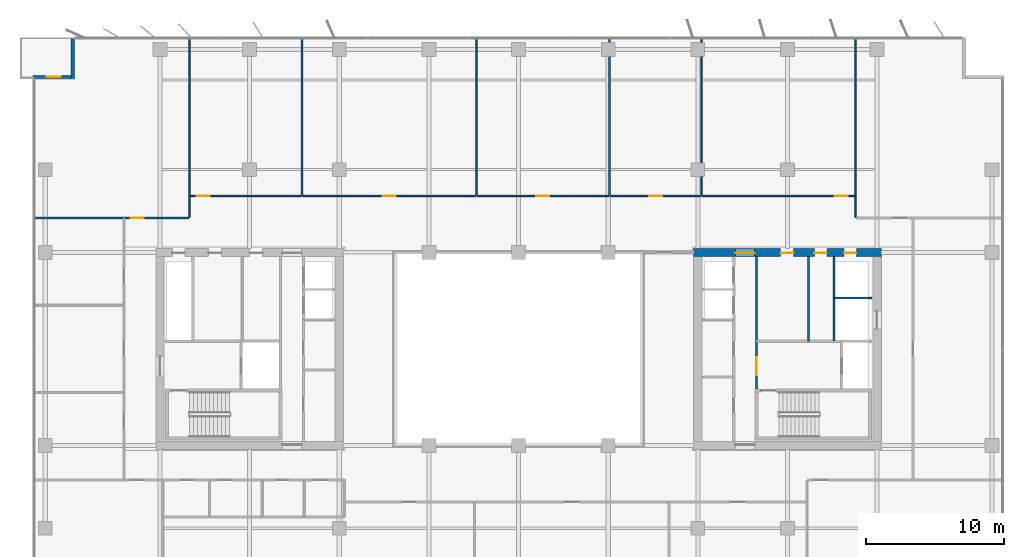
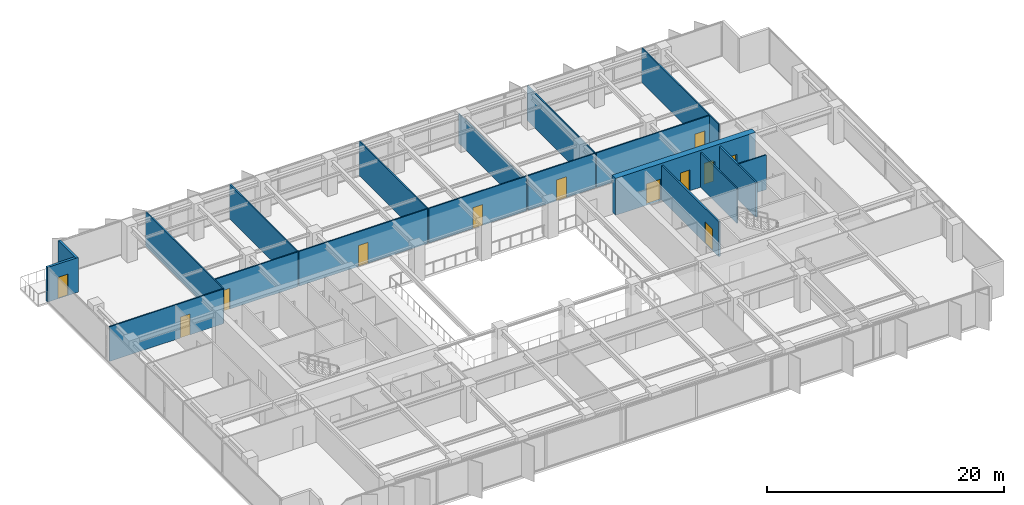
# One storey, part 17 of 22: 19 walls, 12 doors, 12 openings.
"""IFC4 building model written with IfcOpenShell, lengths in metres."""

from ifc_helpers import new_model, si_unit, direction, frame, frame_2d, origin, place, context, subcontext, project, spatial, rectangle, extrude, material, layer, layer_set, type_object, element, fill, save


model = new_model("IFC4")

# Units and contexts
model_context = context("Model", 3, precision=1e-05, world=origin(), true_north=direction((0.0, 1.0)))
body_context = subcontext(model_context, "Body", "Model", "MODEL_VIEW")
ifc_project = project(units=[si_unit("LENGTHUNIT", "METRE"), si_unit("AREAUNIT", "SQUARE_METRE"), si_unit("VOLUMEUNIT", "CUBIC_METRE"), si_unit("PLANEANGLEUNIT", "RADIAN"), si_unit("MASSUNIT", "GRAM", prefix="KILO")], contexts=[model_context])

# Site, building, storey
site_placement = place(None, origin())
site = spatial("IfcSite", under=ifc_project, at=site_placement, CompositionType="ELEMENT")
building_placement = place(site_placement, origin())
building = spatial("IfcBuilding", under=site, at=building_placement, Name="Putna Gate Headquarters", CompositionType="ELEMENT")
storey_placement = place(building_placement, frame((0.0, 0.0, 155.60009765625)))
storey = spatial("IfcBuildingStorey", under=building, at=storey_placement, Name="L38", CompositionType="ELEMENT", Elevation=155.60009765625)

# Wall, openings, doors
ifc_material_1 = material(Name="Concrete C50/60", Category="concrete")
ifc_layer_1 = layer(ifc_material_1, 0.60009765625)
ifc_layer_set_1 = layer_set([ifc_layer_1], Name="Concrete C50/60")
wall_type_1 = type_object("IfcWallType", Name="WALL-CORE-600", PredefinedType="SHEAR", material=ifc_layer_set_1)
wall_1_placement = place(storey_placement, frame((51.699951171875, 33.0, 0.0), z_axis=(0.0, 0.0, 1.0), x_axis=(1.0, 0.0, 0.0)))
wall_1 = element("IfcWall", 1, at=wall_1_placement, inside=storey, type_object=wall_type_1, Name="L38 EC Split Core Shear Wall N", PredefinedType="SHEAR", context=body_context, shape_type="SweptSolid", body=[
    extrude(rectangle(XDim=13.60009765625, YDim=0.60009765625, at=frame_2d((6.800048828125, 0.0))), origin(), (0.0, 0.0, 1.0), 3.7998046875),
])
opening_1_placement = place(wall_1_placement, frame((3.02001953125, 0.0, 0.0)))
opening_1 = element("IfcOpeningElement", 2, at=opening_1_placement, cuts=wall_1, Name="Opening FDD-140", PredefinedType="OPENING", context=body_context, shape_type="SweptSolid", body=[
    extrude(rectangle(XDim=1.39990234375, YDim=2.199951171875, at=frame_2d((0.699951171875, 1.10009765625))), frame((0.0, 0.31005859375, 0.0), z_axis=(0.0, -1.0, 0.0), x_axis=(1.0, 0.0, 0.0)), (0.0, 0.0, 1.0), 0.6201171875),
])
opening_2_placement = place(wall_1_placement, frame((10.89990234375, 0.0, 0.0)))
opening_2 = element("IfcOpeningElement", 3, at=opening_2_placement, cuts=wall_1, Name="Opening RD-90", PredefinedType="OPENING", context=body_context, shape_type="SweptSolid", body=[
    extrude(rectangle(XDim=0.89990234375, YDim=2.14990234375, at=frame_2d((0.449951171875, 1.074951171875))), frame((0.0, 0.31005859375, 0.0), z_axis=(0.0, -1.0, 0.0), x_axis=(1.0, 0.0, 0.0)), (0.0, 0.0, 1.0), 0.6201171875),
])
opening_3_placement = place(wall_1_placement, frame((6.300048828125, 0.0, 0.0)))
opening_3 = element("IfcOpeningElement", 4, at=opening_3_placement, cuts=wall_1, Name="Opening IDS-95", PredefinedType="OPENING", context=body_context, shape_type="SweptSolid", body=[
    extrude(rectangle(XDim=0.949951171875, YDim=2.14990234375, at=frame_2d((0.47509765625, 1.074951171875))), frame((0.0, 0.31005859375, 0.0), z_axis=(0.0, -1.0, 0.0), x_axis=(1.0, 0.0, 0.0)), (0.0, 0.0, 1.0), 0.6201171875),
])
opening_4_placement = place(wall_1_placement, frame((8.75, 0.0, 0.0)))
opening_4 = element("IfcOpeningElement", 5, at=opening_4_placement, cuts=wall_1, Name="Opening IDS-90", PredefinedType="OPENING", context=body_context, shape_type="SweptSolid", body=[
    extrude(rectangle(XDim=0.89990234375, YDim=2.14990234375, at=frame_2d((0.449951171875, 1.074951171875))), frame((0.0, 0.31005859375, 0.0), z_axis=(0.0, -1.0, 0.0), x_axis=(1.0, 0.0, 0.0)), (0.0, 0.0, 1.0), 0.6201171875),
])
ifc_material_2 = material(Name="Double steel fire door", Category="steel")
door_type_1 = type_object("IfcDoorType", Name="DOOR-FIRE-DBL-1400", OperationType="DOUBLE_DOOR_SINGLE_SWING", PredefinedType="DOOR", material=ifc_material_2)
door_1_placement = place(opening_1_placement, origin())
door_1 = element("IfcDoor", 6, at=door_1_placement, inside=storey, type_object=door_type_1, Name="L38 East Lift Lobby North Door", OperationType="DOUBLE_DOOR_SINGLE_SWING", OverallHeight=2.199951171875, OverallWidth=1.39990234375, PredefinedType="DOOR", context=body_context, shape_type="SweptSolid", body=[
    extrude(rectangle(XDim=1.39990234375, YDim=2.199951171875, at=frame_2d((0.699951171875, 1.10009765625))), frame((0.0, -0.02490234375, 0.0), z_axis=(0.0, -1.0, 0.0), x_axis=(1.0, 0.0, 0.0)), (0.0, 0.0, 1.0), 0.050048828125),
])
fill(opening_1, door_1)
ifc_material_3 = material(Name="Fire-rated utility door")
door_type_2 = type_object("IfcDoorType", Name="DOOR-INT-900", OperationType="NOTDEFINED", PredefinedType="DOOR", material=ifc_material_3)
door_2_placement = place(opening_4_placement, origin())
door_2 = element("IfcDoor", 7, at=door_2_placement, inside=storey, type_object=door_type_2, Name="L38 Electrical Plant Door", OperationType="SINGLE_SWING_LEFT", OverallHeight=2.14990234375, OverallWidth=0.89990234375, PredefinedType="DOOR", context=body_context, shape_type="SweptSolid", body=[
    extrude(rectangle(XDim=0.89990234375, YDim=2.14990234375, at=frame_2d((0.449951171875, 1.074951171875))), frame((0.0, -0.02490234375, 0.0), z_axis=(0.0, -1.0, 0.0), x_axis=(1.0, 0.0, 0.0)), (0.0, 0.0, 1.0), 0.050048828125),
])
fill(opening_4, door_2)
ifc_material_4 = material(Name="Fire-rated service timber door", Category="wood")
door_type_3 = type_object("IfcDoorType", Name="DOOR-INT-950", OperationType="NOTDEFINED", PredefinedType="DOOR", material=ifc_material_4)
door_3_placement = place(opening_3_placement, origin())
door_3 = element("IfcDoor", 8, at=door_3_placement, inside=storey, type_object=door_type_3, Name="L38 East Store Door", OperationType="SINGLE_SWING_RIGHT", OverallHeight=2.14990234375, OverallWidth=0.949951171875, PredefinedType="DOOR", context=body_context, shape_type="SweptSolid", body=[
    extrude(rectangle(XDim=0.949951171875, YDim=2.14990234375, at=frame_2d((0.47509765625, 1.074951171875))), frame((0.0, -0.02490234375, 0.0), z_axis=(0.0, -1.0, 0.0), x_axis=(1.0, 0.0, 0.0)), (0.0, 0.0, 1.0), 0.050048828125),
])
fill(opening_3, door_3)
ifc_material_5 = material(Name="Steel riser access fire door", Category="steel")
door_type_4 = type_object("IfcDoorType", Name="DOOR-RISER-900", OperationType="NOTDEFINED", PredefinedType="DOOR", material=ifc_material_5)
door_4_placement = place(opening_2_placement, origin())
door_4 = element("IfcDoor", 9, at=door_4_placement, inside=storey, type_object=door_type_4, Name="L38 East Riser Access Door", OperationType="SINGLE_SWING_LEFT", OverallHeight=2.14990234375, OverallWidth=0.89990234375, PredefinedType="DOOR", context=body_context, shape_type="SweptSolid", body=[
    extrude(rectangle(XDim=0.89990234375, YDim=2.14990234375, at=frame_2d((0.449951171875, 1.074951171875))), frame((0.0, -0.02490234375, 0.0), z_axis=(0.0, -1.0, 0.0), x_axis=(1.0, 0.0, 0.0)), (0.0, 0.0, 1.0), 0.050048828125),
])
fill(opening_2, door_4)

# Wall
ifc_material_6 = material(Name="Precast concrete C40/50", Category="concrete")
ifc_layer_2 = layer(ifc_material_6, 0.239990234375)
ifc_layer_set_2 = layer_set([ifc_layer_2], Name="Precast concrete C40/50")
wall_type_2 = type_object("IfcWallType", Name="WALL-EXT-TERR-240", PredefinedType="STANDARD", material=ifc_layer_set_2)
wall_2_placement = place(storey_placement, frame((6.679931640625, 45.60009765625, 0.0), z_axis=(0.0, 0.0, 1.0), x_axis=(0.0, 1.0, 0.0)))
element("IfcWall", 10, at=wall_2_placement, inside=storey, type_object=wall_type_2, Name="L38 Corner Notch Return Wall NW-V", PredefinedType="STANDARD", context=body_context, shape_type="SweptSolid", body=[
    extrude(rectangle(XDim=3.0, YDim=0.239990234375, at=frame_2d((1.5, 0.0))), origin(), (0.0, 0.0, 1.0), 3.572021484375),
])

# Wall, opening, door
wall_3_placement = place(storey_placement, frame((3.800048828125, 45.719970703125, 0.0), z_axis=(0.0, 0.0, 1.0), x_axis=(1.0, 0.0, 0.0)))
wall_3 = element("IfcWall", 11, at=wall_3_placement, inside=storey, type_object=wall_type_2, Name="L38 Corner Notch Return Wall NW-H", PredefinedType="STANDARD", context=body_context, shape_type="SweptSolid", body=[
    extrude(rectangle(XDim=3.0, YDim=0.239990234375, at=frame_2d((1.5, 0.0))), origin(), (0.0, 0.0, 1.0), 3.572021484375),
])
opening_5_placement = place(wall_3_placement, frame((1.0, 0.0, 0.0)))
opening_5 = element("IfcOpeningElement", 12, at=opening_5_placement, cuts=wall_3, Name="Opening TRD-1", PredefinedType="OPENING", context=body_context, shape_type="SweptSolid", body=[
    extrude(rectangle(XDim=1.0, YDim=2.199951171875, at=frame_2d((0.5, 1.10009765625))), frame((0.0, 0.1298828125, 0.0), z_axis=(0.0, -1.0, 0.0), x_axis=(1.0, 0.0, 0.0)), (0.0, 0.0, 1.0), 0.260009765625),
])
ifc_material_7 = material(Name="Thermally broken bronze glazed terrace door")
door_type_5 = type_object("IfcDoorType", Name="DOOR-TERR-EXT-1000", OperationType="NOTDEFINED", PredefinedType="DOOR", material=ifc_material_7)
door_5_placement = place(opening_5_placement, origin())
door_5 = element("IfcDoor", 13, at=door_5_placement, inside=storey, type_object=door_type_5, Name="L38 Spiral Sky Terrace Door NW", OperationType="SINGLE_SWING_RIGHT", OverallHeight=2.199951171875, OverallWidth=1.0, PredefinedType="DOOR", context=body_context, shape_type="SweptSolid", body=[
    extrude(rectangle(XDim=1.0, YDim=2.199951171875, at=frame_2d((0.5, 1.10009765625))), frame((0.0, 0.02490234375, 0.0), z_axis=(0.0, -1.0, 0.0), x_axis=(1.0, 0.0, 0.0)), (0.0, 0.0, 1.0), 0.050048828125),
])
fill(opening_5, door_5)

# Walls
ifc_material_8 = material(Name="Acoustic gypsum board on metal stud")
ifc_layer_3 = layer(ifc_material_8, 0.1201171875)
ifc_layer_set_3 = layer_set([ifc_layer_3], Name="Acoustic gypsum board on metal stud")
wall_type_3 = type_object("IfcWallType", Name="WALL-PART-120", PredefinedType="PARTITIONING", material=ifc_layer_set_3)
wall_4_placement = place(storey_placement, frame((15.13037109375, 35.56005859375, 0.0), z_axis=(0.0, 0.0, 1.0), x_axis=(0.0, 1.0, 0.0)))
element("IfcWall", 14, at=wall_4_placement, inside=storey, type_object=wall_type_3, Name="L38 Interior Wall PART-L38-NB-DIV-01", PredefinedType="PARTITIONING", context=body_context, shape_type="SweptSolid", body=[
    extrude(rectangle(XDim=13.02001953125, YDim=0.1201171875, at=frame_2d((6.510009765625, 0.0))), origin(), (0.0, 0.0, 1.0), 3.572021484375),
])
for number, where, z_axis, x_axis, name in (
    (15, (23.297119140625, 37.159912109375, 0.0), (0.0, 0.0, 1.0), (0.0, 1.0, 0.0), "L38 Interior Wall PART-L38-NB-DIV-02"),
    (16, (35.939208984375, 37.159912109375, 0.0), (0.0, 0.0, 1.0), (0.0, 1.0, 0.0), "L38 Interior Wall PART-L38-NB-DIV-03"),
):
    element("IfcWall", number, at=place(storey_placement, frame(where, z_axis=z_axis, x_axis=x_axis)), inside=storey, type_object=wall_type_3, Name=name, PredefinedType="PARTITIONING", context=body_context, shape_type="SweptSolid", body=[
        extrude(rectangle(XDim=11.420166015625, YDim=0.1201171875, at=frame_2d((5.7099609375, 0.0))), origin(), (0.0, 0.0, 1.0), 3.572021484375),
    ])
wall_5_placement = place(storey_placement, frame((45.597900390625, 37.159912109375, 0.0), z_axis=(0.0, 0.0, 1.0), x_axis=(0.0, 1.0, 0.0)))
element("IfcWall", 17, at=wall_5_placement, inside=storey, type_object=wall_type_3, Name="L38 Interior Wall PART-L38-NB-DIV-04", PredefinedType="PARTITIONING", context=body_context, shape_type="SweptSolid", body=[
    extrude(rectangle(XDim=11.420166015625, YDim=0.1201171875, at=frame_2d((5.7099609375, 0.0))), origin(), (0.0, 0.0, 1.0), 3.02197265625),
])
wall_6_placement = place(storey_placement, frame((52.272705078125, 37.159912109375, 0.0), z_axis=(0.0, 0.0, 1.0), x_axis=(0.0, 1.0, 0.0)))
element("IfcWall", 18, at=wall_6_placement, inside=storey, type_object=wall_type_3, Name="L38 Interior Wall PART-L38-NB-DIV-05", PredefinedType="PARTITIONING", context=body_context, shape_type="SweptSolid", body=[
    extrude(rectangle(XDim=11.420166015625, YDim=0.1201171875, at=frame_2d((5.7099609375, 0.0))), origin(), (0.0, 0.0, 1.0), 3.572021484375),
])
wall_7_placement = place(storey_placement, frame((63.4228515625, 35.56005859375, 0.0), z_axis=(0.0, 0.0, 1.0), x_axis=(0.0, 1.0, 0.0)))
element("IfcWall", 19, at=wall_7_placement, inside=storey, type_object=wall_type_3, Name="L38 Interior Wall PART-L38-NB-DIV-06", PredefinedType="PARTITIONING", context=body_context, shape_type="SweptSolid", body=[
    extrude(rectangle(XDim=13.02001953125, YDim=0.1201171875, at=frame_2d((6.510009765625, 0.0))), origin(), (0.0, 0.0, 1.0), 3.572021484375),
])
ifc_material_9 = material(Name="Fire-rated shaftwall gypsum board on metal stud")
ifc_layer_4 = layer(ifc_material_9, 0.1201171875)
ifc_layer_set_4 = layer_set([ifc_layer_4], Name="Fire-rated shaftwall gypsum board on metal stud")
wall_type_4 = type_object("IfcWallType", Name="WALL-PART-120-EI120", PredefinedType="PARTITIONING", material=ifc_layer_set_4)
wall_8_placement = place(storey_placement, frame((61.8701171875, 29.699951171875, 0.0), z_axis=(0.0, 0.0, 1.0), x_axis=(1.0, 0.0, 0.0)))
element("IfcWall", 20, at=wall_8_placement, inside=storey, type_object=wall_type_4, Name="L38 Interior Wall CWINT-L38-EC-LF15-N", PredefinedType="PARTITIONING", context=body_context, shape_type="SweptSolid", body=[
    extrude(rectangle(XDim=2.72998046875, YDim=0.1201171875, at=frame_2d((1.364990234375, 0.0))), origin(), (0.0, 0.0, 1.0), 3.572021484375),
])
ifc_material_10 = material(Name="Fire-rated gypsum board on metal stud")
ifc_layer_5 = layer(ifc_material_10, 0.1201171875)
ifc_layer_set_5 = layer_set([ifc_layer_5], Name="Fire-rated gypsum board on metal stud")
wall_type_5 = type_object("IfcWallType", Name="WALL-PART-120-RATED", PredefinedType="PARTITIONING", material=ifc_layer_set_5)
wall_9_placement = place(storey_placement, frame((60.02001953125, 26.56005859375, 0.0), z_axis=(0.0, 0.0, 1.0), x_axis=(0.0, 1.0, 0.0)))
element("IfcWall", 21, at=wall_9_placement, inside=storey, type_object=wall_type_5, Name="L38 Interior Wall CWINT-L38-EC-K0-DIV", PredefinedType="PARTITIONING", context=body_context, shape_type="SweptSolid", body=[
    extrude(rectangle(XDim=6.139892578125, YDim=0.1201171875, at=frame_2d((3.06982421875, 0.0))), origin(), (0.0, 0.0, 1.0), 3.572021484375),
])

# Wall, opening, door
wall_10_placement = place(storey_placement, frame((3.97998046875, 35.5, 0.0), z_axis=(0.0, 0.0, 1.0), x_axis=(1.0, 0.0, 0.0)))
wall_10 = element("IfcWall", 22, at=wall_10_placement, inside=storey, type_object=wall_type_5, Name="L38 Interior Wall PART-L38-NB-CW-01", PredefinedType="PARTITIONING", context=body_context, shape_type="SweptSolid", body=[
    extrude(rectangle(XDim=11.09033203125, YDim=0.1201171875, at=frame_2d((5.545166015625, 0.0))), origin(), (0.0, 0.0, 1.0), 3.572021484375),
])
opening_6_placement = place(wall_10_placement, frame((6.89990234375, 0.0, 0.0)))
opening_6 = element("IfcOpeningElement", 23, at=opening_6_placement, cuts=wall_10, Name="Opening FD-95", PredefinedType="OPENING", context=body_context, shape_type="SweptSolid", body=[
    extrude(rectangle(XDim=0.949951171875, YDim=2.14990234375, at=frame_2d((0.47509765625, 1.074951171875))), frame((0.0, 0.070068359375, 0.0), z_axis=(0.0, -1.0, 0.0), x_axis=(1.0, 0.0, 0.0)), (0.0, 0.0, 1.0), 0.14013671875),
])
ifc_material_11 = material(Name="Acoustic timber fire door", Category="wood")
door_type_6 = type_object("IfcDoorType", Name="DOOR-FIRE-950", OperationType="NOTDEFINED", PredefinedType="DOOR", material=ifc_material_11)
door_6_placement = place(opening_6_placement, origin())
door_6 = element("IfcDoor", 24, at=door_6_placement, inside=storey, type_object=door_type_6, Name="L38 Cellular Office 1 Door", OperationType="SINGLE_SWING_RIGHT", OverallHeight=2.14990234375, OverallWidth=0.949951171875, PredefinedType="DOOR", context=body_context, shape_type="SweptSolid", body=[
    extrude(rectangle(XDim=0.949951171875, YDim=2.14990234375, at=frame_2d((0.47509765625, 1.074951171875))), frame((0.0, 0.02490234375, 0.0), z_axis=(0.0, -1.0, 0.0), x_axis=(1.0, 0.0, 0.0)), (0.0, 0.0, 1.0), 0.050048828125),
])
fill(opening_6, door_6)

wall_11_placement = place(storey_placement, frame((15.1904296875, 37.10009765625, 0.0), z_axis=(0.0, 0.0, 1.0), x_axis=(1.0, 0.0, 0.0)))
wall_11 = element("IfcWall", 25, at=wall_11_placement, inside=storey, type_object=wall_type_5, Name="L38 Interior Wall PART-L38-NB-CW-02", PredefinedType="PARTITIONING", context=body_context, shape_type="SweptSolid", body=[
    extrude(rectangle(XDim=8.046630859375, YDim=0.1201171875, at=frame_2d((4.0234375, 0.0))), origin(), (0.0, 0.0, 1.0), 3.572021484375),
])
opening_7_placement = place(wall_11_placement, frame((0.47998046875, 0.0, 0.0)))
opening_7 = element("IfcOpeningElement", 26, at=opening_7_placement, cuts=wall_11, Name="Opening FD-95", PredefinedType="OPENING", context=body_context, shape_type="SweptSolid", body=[
    extrude(rectangle(XDim=0.949951171875, YDim=2.14990234375, at=frame_2d((0.47509765625, 1.074951171875))), frame((0.0, 0.070068359375, 0.0), z_axis=(0.0, -1.0, 0.0), x_axis=(1.0, 0.0, 0.0)), (0.0, 0.0, 1.0), 0.14013671875),
])
door_7_placement = place(opening_7_placement, origin())
door_7 = element("IfcDoor", 27, at=door_7_placement, inside=storey, type_object=door_type_6, Name="L38 Conference Meeting Room 2 Door", OperationType="SINGLE_SWING_LEFT", OverallHeight=2.14990234375, OverallWidth=0.949951171875, PredefinedType="DOOR", context=body_context, shape_type="SweptSolid", body=[
    extrude(rectangle(XDim=0.949951171875, YDim=2.14990234375, at=frame_2d((0.47509765625, 1.074951171875))), frame((0.0, 0.02490234375, 0.0), z_axis=(0.0, -1.0, 0.0), x_axis=(1.0, 0.0, 0.0)), (0.0, 0.0, 1.0), 0.050048828125),
])
fill(opening_7, door_7)

wall_12_placement = place(storey_placement, frame((23.35693359375, 37.10009765625, 0.0), z_axis=(0.0, 0.0, 1.0), x_axis=(1.0, 0.0, 0.0)))
wall_12 = element("IfcWall", 28, at=wall_12_placement, inside=storey, type_object=wall_type_5, Name="L38 Interior Wall PART-L38-NB-CW-03", PredefinedType="PARTITIONING", context=body_context, shape_type="SweptSolid", body=[
    extrude(rectangle(XDim=12.5224609375, YDim=0.1201171875, at=frame_2d((6.26123046875, 0.0))), origin(), (0.0, 0.0, 1.0), 3.572021484375),
])
opening_8_placement = place(wall_12_placement, frame((5.7861328125, 0.0, 0.0)))
opening_8 = element("IfcOpeningElement", 29, at=opening_8_placement, cuts=wall_12, Name="Opening FD-95", PredefinedType="OPENING", context=body_context, shape_type="SweptSolid", body=[
    extrude(rectangle(XDim=0.949951171875, YDim=2.14990234375, at=frame_2d((0.47509765625, 1.074951171875))), frame((0.0, 0.070068359375, 0.0), z_axis=(0.0, -1.0, 0.0), x_axis=(1.0, 0.0, 0.0)), (0.0, 0.0, 1.0), 0.14013671875),
])
door_8_placement = place(opening_8_placement, origin())
door_8 = element("IfcDoor", 30, at=door_8_placement, inside=storey, type_object=door_type_6, Name="L38 Conference Meeting Room 3 Door", OperationType="SINGLE_SWING_RIGHT", OverallHeight=2.14990234375, OverallWidth=0.949951171875, PredefinedType="DOOR", context=body_context, shape_type="SweptSolid", body=[
    extrude(rectangle(XDim=0.949951171875, YDim=2.14990234375, at=frame_2d((0.47509765625, 1.074951171875))), frame((0.0, 0.02490234375, 0.0), z_axis=(0.0, -1.0, 0.0), x_axis=(1.0, 0.0, 0.0)), (0.0, 0.0, 1.0), 0.050048828125),
])
fill(opening_8, door_8)

wall_13_placement = place(storey_placement, frame((35.999267578125, 37.10009765625, 0.0), z_axis=(0.0, 0.0, 1.0), x_axis=(1.0, 0.0, 0.0)))
wall_13 = element("IfcWall", 31, at=wall_13_placement, inside=storey, type_object=wall_type_5, Name="L38 Interior Wall PART-L38-NB-CW-04", PredefinedType="PARTITIONING", context=body_context, shape_type="SweptSolid", body=[
    extrude(rectangle(XDim=9.53857421875, YDim=0.1201171875, at=frame_2d((4.769287109375, 0.0))), origin(), (0.0, 0.0, 1.0), 3.572021484375),
])
opening_9_placement = place(wall_13_placement, frame((4.294189453125, 0.0, 0.0)))
opening_9 = element("IfcOpeningElement", 32, at=opening_9_placement, cuts=wall_13, Name="Opening FD-95", PredefinedType="OPENING", context=body_context, shape_type="SweptSolid", body=[
    extrude(rectangle(XDim=0.949951171875, YDim=2.14990234375, at=frame_2d((0.47509765625, 1.074951171875))), frame((0.0, 0.070068359375, 0.0), z_axis=(0.0, -1.0, 0.0), x_axis=(1.0, 0.0, 0.0)), (0.0, 0.0, 1.0), 0.14013671875),
])
door_9_placement = place(opening_9_placement, origin())
door_9 = element("IfcDoor", 33, at=door_9_placement, inside=storey, type_object=door_type_6, Name="L38 Collaborative Breakout Lounge 1 Door", OperationType="SINGLE_SWING_LEFT", OverallHeight=2.14990234375, OverallWidth=0.949951171875, PredefinedType="DOOR", context=body_context, shape_type="SweptSolid", body=[
    extrude(rectangle(XDim=0.949951171875, YDim=2.14990234375, at=frame_2d((0.47509765625, 1.074951171875))), frame((0.0, 0.02490234375, 0.0), z_axis=(0.0, -1.0, 0.0), x_axis=(1.0, 0.0, 0.0)), (0.0, 0.0, 1.0), 0.050048828125),
])
fill(opening_9, door_9)

wall_14_placement = place(storey_placement, frame((45.65771484375, 37.10009765625, 0.0), z_axis=(0.0, 0.0, 1.0), x_axis=(1.0, 0.0, 0.0)))
wall_14 = element("IfcWall", 34, at=wall_14_placement, inside=storey, type_object=wall_type_5, Name="L38 Interior Wall PART-L38-NB-CW-05", PredefinedType="PARTITIONING", context=body_context, shape_type="SweptSolid", body=[
    extrude(rectangle(XDim=6.554931640625, YDim=0.1201171875, at=frame_2d((3.27734375, 0.0))), origin(), (0.0, 0.0, 1.0), 3.572021484375),
])
opening_10_placement = place(wall_14_placement, frame((2.802490234375, 0.0, 0.0)))
opening_10 = element("IfcOpeningElement", 35, at=opening_10_placement, cuts=wall_14, Name="Opening FD-95", PredefinedType="OPENING", context=body_context, shape_type="SweptSolid", body=[
    extrude(rectangle(XDim=0.949951171875, YDim=2.14990234375, at=frame_2d((0.47509765625, 1.074951171875))), frame((0.0, 0.070068359375, 0.0), z_axis=(0.0, -1.0, 0.0), x_axis=(1.0, 0.0, 0.0)), (0.0, 0.0, 1.0), 0.14013671875),
])
door_10_placement = place(opening_10_placement, origin())
door_10 = element("IfcDoor", 36, at=door_10_placement, inside=storey, type_object=door_type_6, Name="L38 Collaborative Breakout Lounge 2 Door", OperationType="SINGLE_SWING_RIGHT", OverallHeight=2.14990234375, OverallWidth=0.949951171875, PredefinedType="DOOR", context=body_context, shape_type="SweptSolid", body=[
    extrude(rectangle(XDim=0.949951171875, YDim=2.14990234375, at=frame_2d((0.47509765625, 1.074951171875))), frame((0.0, 0.02490234375, 0.0), z_axis=(0.0, -1.0, 0.0), x_axis=(1.0, 0.0, 0.0)), (0.0, 0.0, 1.0), 0.050048828125),
])
fill(opening_10, door_10)

wall_15_placement = place(storey_placement, frame((52.33251953125, 37.10009765625, 0.0), z_axis=(0.0, 0.0, 1.0), x_axis=(1.0, 0.0, 0.0)))
wall_15 = element("IfcWall", 37, at=wall_15_placement, inside=storey, type_object=wall_type_5, Name="L38 Interior Wall PART-L38-NB-CW-06", PredefinedType="PARTITIONING", context=body_context, shape_type="SweptSolid", body=[
    extrude(rectangle(XDim=11.0302734375, YDim=0.1201171875, at=frame_2d((5.51513671875, 0.0))), origin(), (0.0, 0.0, 1.0), 3.572021484375),
])
opening_11_placement = place(wall_15_placement, frame((9.600341796875, 0.0, 0.0)))
opening_11 = element("IfcOpeningElement", 38, at=opening_11_placement, cuts=wall_15, Name="Opening FD-95", PredefinedType="OPENING", context=body_context, shape_type="SweptSolid", body=[
    extrude(rectangle(XDim=0.949951171875, YDim=2.14990234375, at=frame_2d((0.47509765625, 1.074951171875))), frame((0.0, 0.070068359375, 0.0), z_axis=(0.0, -1.0, 0.0), x_axis=(1.0, 0.0, 0.0)), (0.0, 0.0, 1.0), 0.14013671875),
])
door_11_placement = place(opening_11_placement, origin())
door_11 = element("IfcDoor", 39, at=door_11_placement, inside=storey, type_object=door_type_6, Name="L38 Quiet Wellness Focus Studio 1 Door", OperationType="SINGLE_SWING_LEFT", OverallHeight=2.14990234375, OverallWidth=0.949951171875, PredefinedType="DOOR", context=body_context, shape_type="SweptSolid", body=[
    extrude(rectangle(XDim=0.949951171875, YDim=2.14990234375, at=frame_2d((0.47509765625, 1.074951171875))), frame((0.0, 0.02490234375, 0.0), z_axis=(0.0, -1.0, 0.0), x_axis=(1.0, 0.0, 0.0)), (0.0, 0.0, 1.0), 0.050048828125),
])
fill(opening_11, door_11)

ifc_material_12 = material(Name="Concrete C40/50", Category="concrete")
ifc_layer_6 = layer(ifc_material_12, 0.159912109375)
ifc_layer_set_6 = layer_set([ifc_layer_6], Name="Concrete C40/50")
wall_type_6 = type_object("IfcWallType", Name="WALL-SHAFT-160", PredefinedType="STANDARD", material=ifc_layer_set_6)
wall_16_placement = place(storey_placement, frame((56.260009765625, 23.090087890625, 0.0), z_axis=(0.0, 0.0, 1.0), x_axis=(0.0, 1.0, 0.0)))
wall_16 = element("IfcWall", 40, at=wall_16_placement, inside=storey, type_object=wall_type_6, Name="L38 Interior Wall CWINT-L38-EC-LOB-E", PredefinedType="STANDARD", context=body_context, shape_type="SweptSolid", body=[
    extrude(rectangle(XDim=9.60986328125, YDim=0.159912109375, at=frame_2d((4.804931640625, 0.0))), origin(), (0.0, 0.0, 1.0), 3.572021484375),
])
opening_12_placement = place(wall_16_placement, frame((1.010009765625, 0.0, 0.0)))
opening_12 = element("IfcOpeningElement", 41, at=opening_12_placement, cuts=wall_16, Name="Opening FDD-130", PredefinedType="OPENING", context=body_context, shape_type="SweptSolid", body=[
    extrude(rectangle(XDim=1.300048828125, YDim=2.199951171875, at=frame_2d((0.64990234375, 1.10009765625))), frame((0.0, 0.08984375, 0.0), z_axis=(0.0, -1.0, 0.0), x_axis=(1.0, 0.0, 0.0)), (0.0, 0.0, 1.0), 0.179931640625),
])
ifc_material_13 = material(Name="Double steel lobby fire door", Category="steel")
door_type_7 = type_object("IfcDoorType", Name="DOOR-FIRE-DBL-1300", OperationType="DOUBLE_DOOR_SINGLE_SWING", PredefinedType="DOOR", material=ifc_material_13)
door_12_placement = place(opening_12_placement, origin())
door_12 = element("IfcDoor", 42, at=door_12_placement, inside=storey, type_object=door_type_7, Name="L38 East Firefighting Lobby Door", OperationType="DOUBLE_DOOR_SINGLE_SWING", OverallHeight=2.199951171875, OverallWidth=1.300048828125, PredefinedType="DOOR", context=body_context, shape_type="SweptSolid", body=[
    extrude(rectangle(XDim=1.300048828125, YDim=2.199951171875, at=frame_2d((0.64990234375, 1.10009765625))), frame((0.0, 0.02490234375, 0.0), z_axis=(0.0, -1.0, 0.0), x_axis=(1.0, 0.0, 0.0)), (0.0, 0.0, 1.0), 0.050048828125),
])
fill(opening_12, door_12)

# Wall
wall_17_placement = place(storey_placement, frame((61.8701171875, 26.56005859375, 0.0), z_axis=(0.0, 0.0, 1.0), x_axis=(0.0, 1.0, 0.0)))
element("IfcWall", 43, at=wall_17_placement, inside=storey, type_object=wall_type_6, Name="L38 Interior Wall CWINT-L38-EC-LF15-W", PredefinedType="STANDARD", context=body_context, shape_type="SweptSolid", body=[
    extrude(rectangle(XDim=6.139892578125, YDim=0.159912109375, at=frame_2d((3.06982421875, 0.0))), origin(), (0.0, 0.0, 1.0), 3.572021484375),
])

save(model, "model.ifc")
